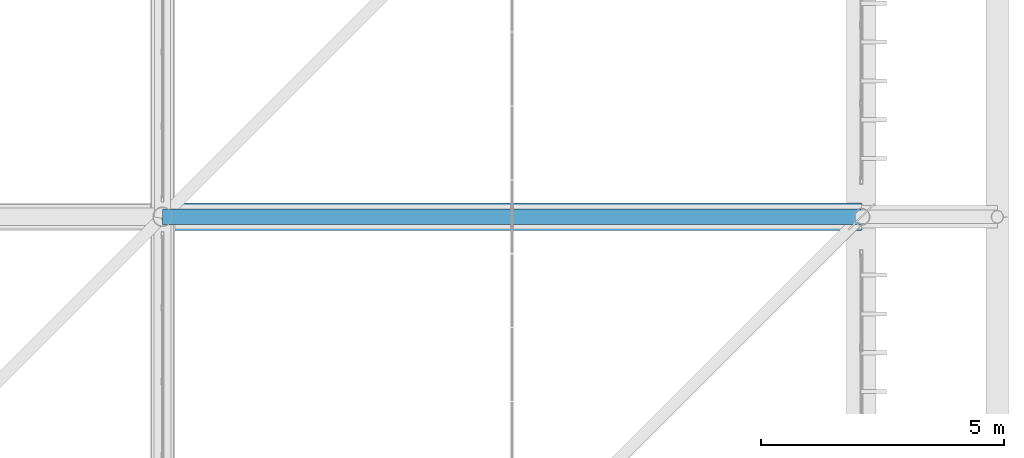
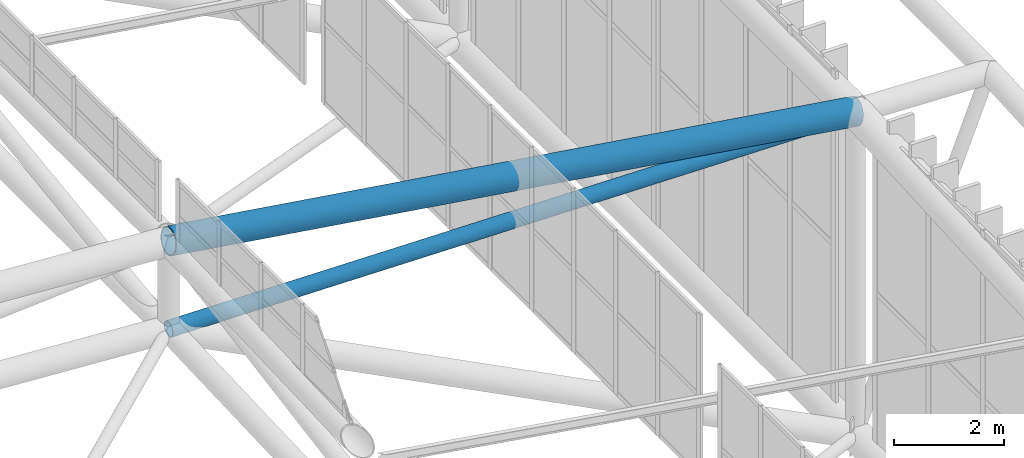
# One storey, part 163 of 397: 1 beam, 1 member.
"""IFC4 building model written with IfcOpenShell, lengths in metres."""

from ifc_helpers import new_model, si_unit, direction, frame, origin, origin_2d, place, context, subcontext, project, spatial, hollow_circle, extrude, material, material_profile, profile_set, type_object, element, save


model = new_model("IFC4")

# Units and contexts
model_context = context("Model", 3, precision=1e-05, world=origin(), true_north=direction((0.0, 1.0)))
body_context = subcontext(model_context, "Body", "Model", "MODEL_VIEW")
ifc_project = project(units=[si_unit("LENGTHUNIT", "METRE"), si_unit("AREAUNIT", "SQUARE_METRE"), si_unit("VOLUMEUNIT", "CUBIC_METRE"), si_unit("PLANEANGLEUNIT", "RADIAN"), si_unit("MASSUNIT", "GRAM", prefix="KILO")], contexts=[model_context])

# Site, building, storey
site_placement = place(None, origin())
site = spatial("IfcSite", under=ifc_project, at=site_placement, CompositionType="ELEMENT")
building_placement = place(site_placement, origin())
building = spatial("IfcBuilding", under=site, at=building_placement, Name="Qandorah Velis Arena", CompositionType="ELEMENT")
storey_placement = place(building_placement, frame((0.0, 0.0, 27.5)))
storey = spatial("IfcBuildingStorey", under=building, at=storey_placement, Name="RF", CompositionType="ELEMENT", Elevation=27.5)

# Beam
ifc_material = material(Name="Steel S355", Category="steel")
ifc_material_profile_1 = material_profile(ifc_material, hollow_circle(Radius=0.279541015625, WallThickness=0.02490234375, at=origin_2d()), Name="CHS 559x25")
ifc_profile_set_1 = profile_set([ifc_material_profile_1], Name="Steel S355")
beam_type = type_object("IfcBeamType", Name="STR-SFC-CHS559X25", PredefinedType="USERDEFINED", material=ifc_profile_set_1)
beam_placement = place(storey_placement, frame((100.800048828125, 57.60009765625, 9.43310546875), z_axis=(0.98891001954, 0.0, -0.148515902361), x_axis=(0.0, 1.0, 0.0)))
element("IfcBeam", 1, at=beam_placement, inside=storey, type_object=beam_type, Name="Space frame roof truss top chord X 6.3", ObjectType="ROOF TRUSS", PredefinedType="USERDEFINED", context=body_context, shape_type="SweptSolid", body=[
    extrude(hollow_circle(Radius=0.279541015625, WallThickness=0.02490234375, at=origin_2d()), origin(), (0.0, 0.0, 1.0), 14.561279296875),
])

# Member
ifc_material_profile_2 = material_profile(ifc_material, hollow_circle(Radius=0.161865234375, WallThickness=0.012451171875, at=origin_2d()), Name="CHS 323.9x12.5")
ifc_profile_set_2 = profile_set([ifc_material_profile_2], Name="Steel S355")
member_type = type_object("IfcMemberType", Name="STR-SFD-CHS323X12", PredefinedType="CHORD", material=ifc_profile_set_2)
member_placement = place(storey_placement, frame((100.800048828125, 57.60009765625, 7.483154296875), z_axis=(0.999890982479, 0.0, -0.014765607232), x_axis=(0.0, 1.0, 0.0)))
element("IfcMember", 2, at=member_placement, inside=storey, type_object=member_type, Name="Space frame roof diagonal X 6.3", PredefinedType="CHORD", context=body_context, shape_type="SweptSolid", body=[
    extrude(hollow_circle(Radius=0.161865234375, WallThickness=0.012451171875, at=origin_2d()), origin(), (0.0, 0.0, 1.0), 14.4013671875),
])

save(model, "model.ifc")
